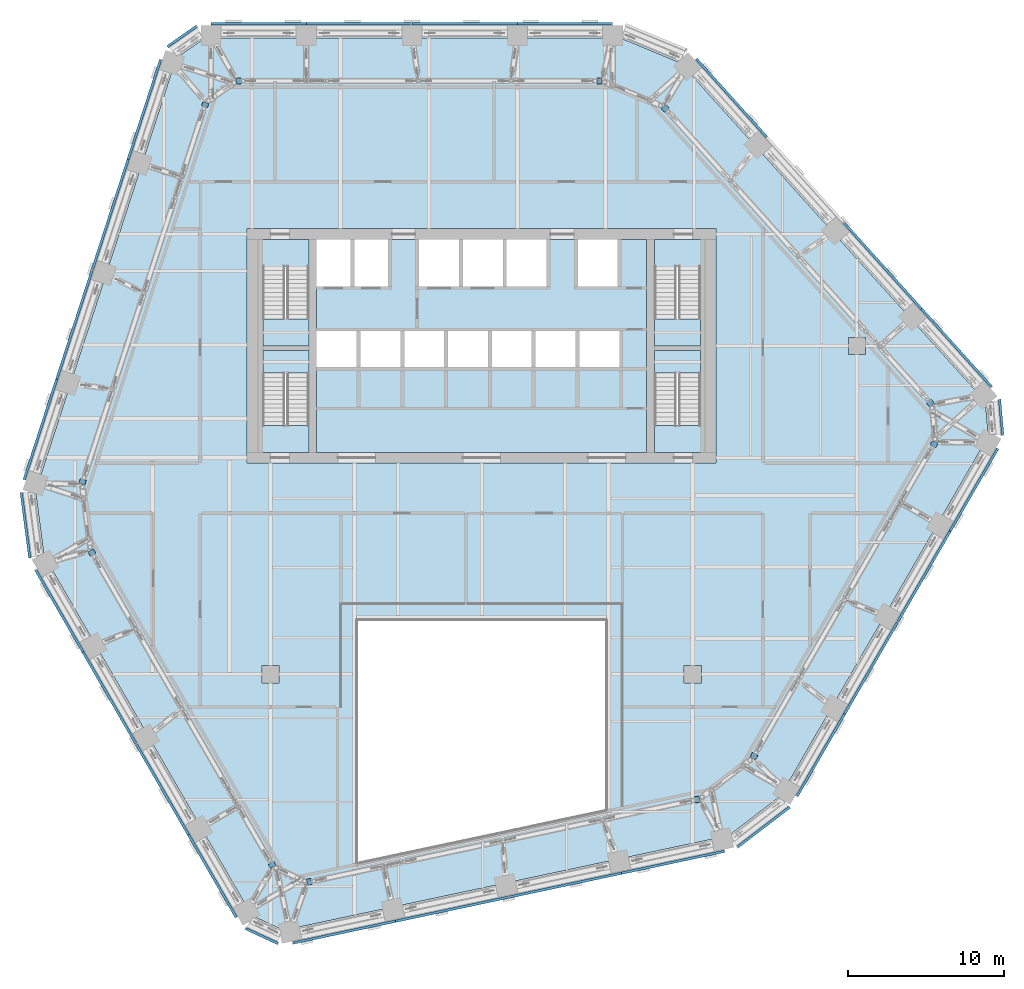
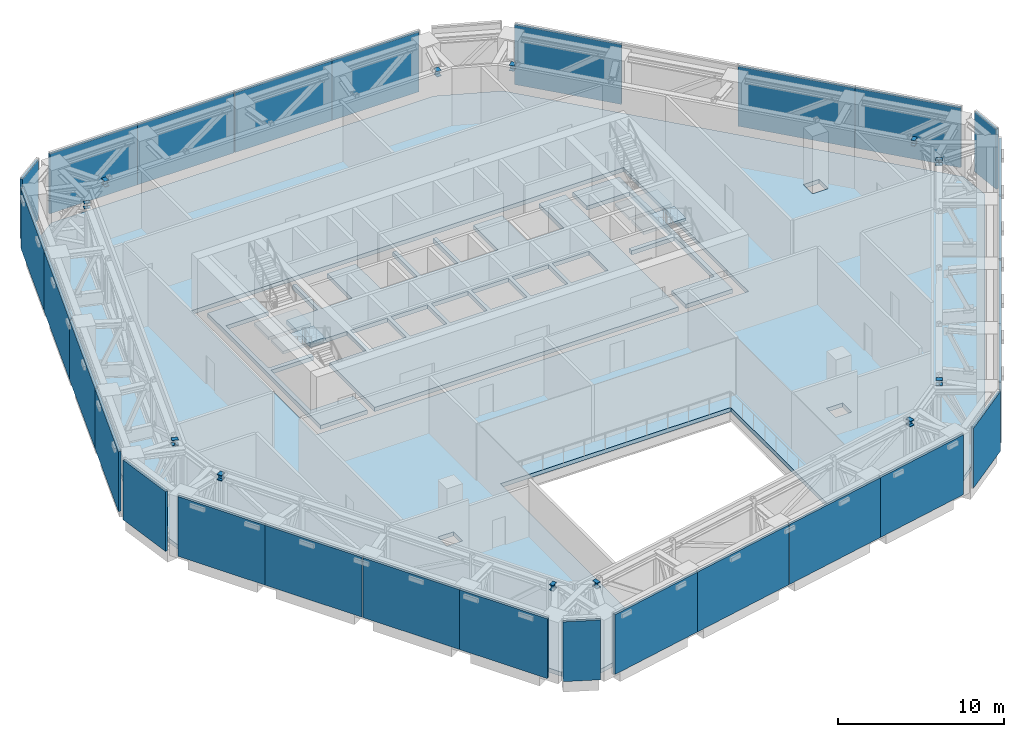
# One storey, part 15 of 26: 28 plates, 12 members, 8 slabs, 15 elements without a shape of their own.
"""IFC4 building model written with IfcOpenShell, lengths in metres."""

from ifc_helpers import new_model, si_unit, direction, frame, origin, origin_2d, place, context, subcontext, project, spatial, polyline, rectangle, i_section, outline, extrude, material, layer, layer_set, material_profile, profile_set, type_object, element, aggregate, save


model = new_model("IFC4")

# Units and contexts
model_context = context("Model", 3, precision=1e-05, world=origin(), true_north=direction((0.0, 1.0)))
body_context = subcontext(model_context, "Body", "Model", "MODEL_VIEW")
ifc_project = project(units=[si_unit("LENGTHUNIT", "METRE"), si_unit("AREAUNIT", "SQUARE_METRE"), si_unit("VOLUMEUNIT", "CUBIC_METRE"), si_unit("PLANEANGLEUNIT", "RADIAN"), si_unit("MASSUNIT", "GRAM", prefix="KILO")], contexts=[model_context])

# Site, building, storey
site_placement = place(None, origin())
site = spatial("IfcSite", under=ifc_project, at=site_placement, CompositionType="ELEMENT")
building_placement = place(site_placement, origin())
building = spatial("IfcBuilding", under=site, at=building_placement, Name="Isthmus Gate Tower", CompositionType="ELEMENT")
storey_placement = place(building_placement, frame((0.0, 0.0, 207.300048828125)))
storey = spatial("IfcBuildingStorey", under=building, at=storey_placement, Name="L52", CompositionType="ELEMENT", Elevation=207.300048828125)

# Members
ifc_material_1 = material(Name="Structural steel ASTM A913 Gr 65", Category="steel")
ifc_material_profile = material_profile(ifc_material_1, i_section(OverallWidth=0.406494140625, OverallDepth=0.416015625, WebThickness=0.0302734375, FlangeThickness=0.047607421875, at=origin_2d()), Name="W14X257")
ifc_profile_set = profile_set([ifc_material_profile], Name="Structural steel ASTM A913 Gr 65")
member_type = type_object("IfcMemberType", Name="TRANSFER TRUSS CHORD W14X257", PredefinedType="CHORD", material=ifc_profile_set)
member_1_placement = place(storey_placement, frame((11.628662109375, 22.80859375, 3.89208984375), z_axis=(0.668964731622, -0.743294146247, 0.0), x_axis=(0.743294146247, 0.668964731622, 0.0)))
element("IfcMember", 1, at=member_1_placement, inside=storey, type_object=member_type, Name="str-ring01-L52-13", PredefinedType="CHORD", context=body_context, shape_type="SweptSolid", body=[
    extrude(i_section(OverallWidth=0.406494140625, OverallDepth=0.416015625, WebThickness=0.0302734375, FlangeThickness=0.047607421875, at=origin_2d()), origin(), (0.0, 0.0, 1.0), 0.298828125),
])
member_2_placement = place(storey_placement, frame((28.61572265625, 3.9423828125, 3.89208984375), z_axis=(0.669507788191, -0.74280503603, 0.0), x_axis=(0.74280503603, 0.669507788191, 0.0)))
element("IfcMember", 2, at=member_2_placement, inside=storey, type_object=member_type, Name="str-ring01-L52-18", PredefinedType="CHORD", context=body_context, shape_type="SweptSolid", body=[
    extrude(i_section(OverallWidth=0.406494140625, OverallDepth=0.416015625, WebThickness=0.0302734375, FlangeThickness=0.047607421875, at=origin_2d()), origin(), (0.0, 0.0, 1.0), 0.273193359375),
])
member_3_placement = place(storey_placement, frame((29.012939453125, 1.351806640625, 3.89208984375), z_axis=(-0.500083826171, -0.865977001312, 0.0), x_axis=(0.865977001312, -0.500083826171, 0.0)))
element("IfcMember", 3, at=member_3_placement, inside=storey, type_object=member_type, Name="str-ring03-L52-13", PredefinedType="CHORD", context=body_context, shape_type="SweptSolid", body=[
    extrude(i_section(OverallWidth=0.406494140625, OverallDepth=0.416015625, WebThickness=0.0302734375, FlangeThickness=0.047607421875, at=origin_2d()), origin(), (0.0, 0.0, 1.0), 0.27294921875),
])
member_4_placement = place(storey_placement, frame((17.490478515625, -18.605712890625, 3.89208984375), z_axis=(-0.499992114976, -0.866029956157, 0.0), x_axis=(0.866029956157, -0.499992114976, 0.0)))
element("IfcMember", 4, at=member_4_placement, inside=storey, type_object=member_type, Name="str-ring03-L52-18", PredefinedType="CHORD", context=body_context, shape_type="SweptSolid", body=[
    extrude(i_section(OverallWidth=0.406494140625, OverallDepth=0.416015625, WebThickness=0.0302734375, FlangeThickness=0.047607421875, at=origin_2d()), origin(), (0.0, 0.0, 1.0), 0.3134765625),
])
member_5_placement = place(storey_placement, frame((13.9384765625, -21.47509765625, 3.89208984375), z_axis=(-0.978254211939, -0.207409490678, 0.0), x_axis=(0.207409490678, -0.978254211939, 0.0)))
element("IfcMember", 5, at=member_5_placement, inside=storey, type_object=member_type, Name="str-ring05-L52-13", PredefinedType="CHORD", context=body_context, shape_type="SweptSolid", body=[
    extrude(i_section(OverallWidth=0.406494140625, OverallDepth=0.416015625, WebThickness=0.0302734375, FlangeThickness=0.047607421875, at=origin_2d()), origin(), (0.0, 0.0, 1.0), 0.299072265625),
])
member_6_placement = place(storey_placement, frame((-10.893798828125, -26.753173828125, 3.89208984375), z_axis=(-0.978063317445, -0.208307818067, 0.0), x_axis=(0.208307818067, -0.978063317445, 0.0)))
element("IfcMember", 6, at=member_6_placement, inside=storey, type_object=member_type, Name="str-ring05-L52-18", PredefinedType="CHORD", context=body_context, shape_type="SweptSolid", body=[
    extrude(i_section(OverallWidth=0.406494140625, OverallDepth=0.416015625, WebThickness=0.0302734375, FlangeThickness=0.047607421875, at=origin_2d()), origin(), (0.0, 0.0, 1.0), 0.273193359375),
])
member_7_placement = place(storey_placement, frame((-13.335693359375, -25.8017578125, 3.89208984375), z_axis=(-0.500083826171, 0.865977001312, 0.0), x_axis=(-0.865977001312, -0.500083826171, 0.0)))
element("IfcMember", 7, at=member_7_placement, inside=storey, type_object=member_type, Name="str-ring07-L52-13", PredefinedType="CHORD", context=body_context, shape_type="SweptSolid", body=[
    extrude(i_section(OverallWidth=0.406494140625, OverallDepth=0.416015625, WebThickness=0.0302734375, FlangeThickness=0.047607421875, at=origin_2d()), origin(), (0.0, 0.0, 1.0), 0.27294921875),
])
member_8_placement = place(storey_placement, frame((-24.858154296875, -5.84423828125, 3.89208984375), z_axis=(-0.499992114976, 0.866029956157, 0.0), x_axis=(-0.866029956157, -0.499992114976, 0.0)))
element("IfcMember", 8, at=member_8_placement, inside=storey, type_object=member_type, Name="str-ring07-L52-18", PredefinedType="CHORD", context=body_context, shape_type="SweptSolid", body=[
    extrude(i_section(OverallWidth=0.406494140625, OverallDepth=0.416015625, WebThickness=0.0302734375, FlangeThickness=0.047607421875, at=origin_2d()), origin(), (0.0, 0.0, 1.0), 0.3134765625),
])
member_9_placement = place(storey_placement, frame((-25.567138671875, -1.333740234375, 3.89208984375), z_axis=(0.308624494438, 0.951183957725, 0.0), x_axis=(-0.951183957725, 0.308624494438, 0.0)))
element("IfcMember", 9, at=member_9_placement, inside=storey, type_object=member_type, Name="str-ring09-L52-13", PredefinedType="CHORD", context=body_context, shape_type="SweptSolid", body=[
    extrude(i_section(OverallWidth=0.406494140625, OverallDepth=0.416015625, WebThickness=0.0302734375, FlangeThickness=0.047607421875, at=origin_2d()), origin(), (0.0, 0.0, 1.0), 0.299072265625),
])
member_10_placement = place(storey_placement, frame((-17.72216796875, 22.810791015625, 3.89208984375), z_axis=(0.30924774649, 0.950981509437, 0.0), x_axis=(-0.950981509437, 0.30924774649, 0.0)))
element("IfcMember", 10, at=member_10_placement, inside=storey, type_object=member_type, Name="str-ring09-L52-18", PredefinedType="CHORD", context=body_context, shape_type="SweptSolid", body=[
    extrude(i_section(OverallWidth=0.406494140625, OverallDepth=0.416015625, WebThickness=0.0302734375, FlangeThickness=0.047607421875, at=origin_2d()), origin(), (0.0, 0.0, 1.0), 0.273193359375),
])
member_11_placement = place(storey_placement, frame((-15.67724609375, 24.449951171875, 3.89208984375), z_axis=(1.0, 0.0, 0.0), x_axis=(0.0, 1.0, 0.0)))
element("IfcMember", 11, at=member_11_placement, inside=storey, type_object=member_type, Name="str-ring11-L52-13", PredefinedType="CHORD", context=body_context, shape_type="SweptSolid", body=[
    extrude(i_section(OverallWidth=0.406494140625, OverallDepth=0.416015625, WebThickness=0.0302734375, FlangeThickness=0.047607421875, at=origin_2d()), origin(), (0.0, 0.0, 1.0), 0.27294921875),
])
member_12_placement = place(storey_placement, frame((7.367919921875, 24.449951171875, 3.89208984375), z_axis=(1.0, 0.0, 0.0), x_axis=(0.0, 1.0, 0.0)))
element("IfcMember", 12, at=member_12_placement, inside=storey, type_object=member_type, Name="str-ring11-L52-18", PredefinedType="CHORD", context=body_context, shape_type="SweptSolid", body=[
    extrude(i_section(OverallWidth=0.406494140625, OverallDepth=0.416015625, WebThickness=0.0302734375, FlangeThickness=0.047607421875, at=origin_2d()), origin(), (0.0, 0.0, 1.0), 0.3134765625),
])

# Slabs
ifc_material_2 = material(Name="Concrete f'c 40 MPa", Category="concrete")
ifc_layer_1 = layer(ifc_material_2, 0.300048828125)
ifc_layer_set_1 = layer_set([ifc_layer_1], Name="CORE FLOOR SLAB 300")
slab_type_1 = type_object("IfcSlabType", Name="CORE FLOOR SLAB 300", PredefinedType="FLOOR", material=ifc_layer_set_1)
slab_1_placement = place(storey_placement, frame((0.0, 0.0, -0.300048828125)))
element("IfcSlab", 13, at=slab_1_placement, inside=storey, type_object=slab_type_1, Name="L52 core floor", PredefinedType="FLOOR", context=body_context, shape_type="SweptSolid", body=[
    extrude(outline(polyline([(-11.050048828125, 0.699951171875), (-11.050048828125, 2.402099609375), (-14.0, 2.402099609375), (-14.0, 7.199951171875), (-11.050048828125, 7.199951171875), (-11.050048828125, 7.5), (-14.0, 7.5), (-14.0, 12.597900390625), (-11.050048828125, 12.597900390625), (-11.050048828125, 14.300048828125), (-14.300048828125, 14.300048828125), (-14.300048828125, 0.699951171875), (-11.050048828125, 0.699951171875)])), origin(), (0.0, 0.0, 1.0), 0.300048828125),
])
slab_2_placement = place(storey_placement, frame((0.0, 0.0, -0.300048828125)))
element("IfcSlab", 14, at=slab_2_placement, inside=storey, type_object=slab_type_1, Name="L52 core floor", PredefinedType="FLOOR", context=body_context, shape_type="SweptSolid", body=[
    extrude(outline(polyline([(10.550048828125, 14.300048828125), (8.699951171875, 14.300048828125), (8.699951171875, 11.300048828125), (6.14990234375, 11.300048828125), (6.14990234375, 14.300048828125), (4.14990234375, 14.300048828125), (4.14990234375, 11.300048828125), (1.60009765625, 11.300048828125), (1.60009765625, 14.300048828125), (1.35009765625, 14.300048828125), (1.35009765625, 11.300048828125), (-1.199951171875, 11.300048828125), (-1.199951171875, 14.300048828125), (-1.449951171875, 14.300048828125), (-1.449951171875, 11.300048828125), (-4.0, 11.300048828125), (-4.0, 14.300048828125), (-6.0, 14.300048828125), (-6.0, 11.300048828125), (-8.14990234375, 11.300048828125), (-8.14990234375, 14.300048828125), (-8.39990234375, 14.300048828125), (-8.39990234375, 11.300048828125), (-10.550048828125, 11.300048828125), (-10.550048828125, 8.449951171875), (-8.0, 8.449951171875), (-8.0, 6.14990234375), (-10.550048828125, 6.14990234375), (-10.550048828125, 0.699951171875), (10.550048828125, 0.699951171875), (10.550048828125, 14.300048828125)]), holes=[polyline([(-5.199951171875, 8.449951171875), (-5.199951171875, 6.14990234375), (-7.75, 6.14990234375), (-7.75, 8.449951171875), (-5.199951171875, 8.449951171875)]), polyline([(-2.39990234375, 8.449951171875), (-2.39990234375, 6.14990234375), (-4.949951171875, 6.14990234375), (-4.949951171875, 8.449951171875), (-2.39990234375, 8.449951171875)]), polyline([(0.39990234375, 8.449951171875), (0.39990234375, 6.14990234375), (-2.14990234375, 6.14990234375), (-2.14990234375, 8.449951171875), (0.39990234375, 8.449951171875)]), polyline([(3.199951171875, 8.449951171875), (3.199951171875, 6.14990234375), (0.64990234375, 6.14990234375), (0.64990234375, 8.449951171875), (3.199951171875, 8.449951171875)]), polyline([(6.0, 8.449951171875), (6.0, 6.14990234375), (3.449951171875, 6.14990234375), (3.449951171875, 8.449951171875), (6.0, 8.449951171875)]), polyline([(8.800048828125, 8.449951171875), (8.800048828125, 6.14990234375), (6.25, 6.14990234375), (6.25, 8.449951171875), (8.800048828125, 8.449951171875)])]), origin(), (0.0, 0.0, 1.0), 0.300048828125),
])
slab_3_placement = place(storey_placement, frame((0.0, 0.0, -0.300048828125)))
element("IfcSlab", 15, at=slab_3_placement, inside=storey, type_object=slab_type_1, Name="L52 core floor", PredefinedType="FLOOR", context=body_context, shape_type="SweptSolid", body=[
    extrude(outline(polyline([(11.050048828125, 14.300048828125), (11.050048828125, 12.597900390625), (14.0, 12.597900390625), (14.0, 7.5), (11.050048828125, 7.5), (11.050048828125, 7.199951171875), (14.0, 7.199951171875), (14.0, 2.402099609375), (11.050048828125, 2.402099609375), (11.050048828125, 0.699951171875), (14.300048828125, 0.699951171875), (14.300048828125, 14.300048828125), (11.050048828125, 14.300048828125)])), origin(), (0.0, 0.0, 1.0), 0.300048828125),
])

# Curtain wall, plates
ifc_material_3 = material(Name="Aluminium, pale champagne anodised", Category="aluminium")
ifc_layer_2 = layer(ifc_material_3, 0.199951171875)
ifc_layer_set_2 = layer_set([ifc_layer_2], Name="CW-2 LOUVRE CURTAIN WALL 200 DEEP")
curtain_wall_type = type_object("IfcCurtainWallType", Name="CW-2 LOUVRE CURTAIN WALL 200 DEEP", PredefinedType="NOTDEFINED", material=ifc_layer_set_2)
curtain_wall_1_placement = place(storey_placement, origin())
curtain_wall_1 = element("IfcCurtainWall", 16, at=curtain_wall_1_placement, inside=storey, type_object=curtain_wall_type, Name="CW-2 N L52", PredefinedType="NOTDEFINED")
ifc_material_4 = material(Name="Aluminium louvre blades, pale champagne anodised", Category="aluminium")
ifc_layer_3 = layer(ifc_material_4, 0.159912109375)
ifc_layer_set_3 = layer_set([ifc_layer_3], Name="CW-2 LOUVRE PANEL 160")
plate_type = type_object("IfcPlateType", Name="CW-2 LOUVRE PANEL 160", PredefinedType="CURTAIN_PANEL", material=ifc_layer_set_3)
plate_1_placement = place(storey_placement, frame((5.30859375, 28.1201171875, 0.0), z_axis=(0.0, 0.0, 1.0), x_axis=(-1.0, 0.0, 0.0)))
plate_1 = element("IfcPlate", 17, at=plate_1_placement, type_object=plate_type, Name="CW-2 louvre panel", PredefinedType="CURTAIN_PANEL", context=body_context, shape_type="SweptSolid", body=[
    extrude(rectangle(XDim=6.0400390625, YDim=0.159912109375, at=origin_2d()), origin(), (0.0, 0.0, 1.0), 4.389892578125),
])
plate_2_placement = place(storey_placement, frame((-1.086669921875, 28.1201171875, 0.0), z_axis=(0.0, 0.0, 1.0), x_axis=(-1.0, 0.0, 0.0)))
plate_2 = element("IfcPlate", 18, at=plate_2_placement, type_object=plate_type, Name="CW-2 louvre panel", PredefinedType="CURTAIN_PANEL", context=body_context, shape_type="SweptSolid", body=[
    extrude(rectangle(XDim=6.750244140625, YDim=0.159912109375, at=origin_2d()), origin(), (0.0, 0.0, 1.0), 4.389892578125),
])
plate_3_placement = place(storey_placement, frame((-7.86669921875, 28.1201171875, 0.0), z_axis=(0.0, 0.0, 1.0), x_axis=(-1.0, 0.0, 0.0)))
plate_3 = element("IfcPlate", 19, at=plate_3_placement, type_object=plate_type, Name="CW-2 louvre panel", PredefinedType="CURTAIN_PANEL", context=body_context, shape_type="SweptSolid", body=[
    extrude(rectangle(XDim=6.690185546875, YDim=0.159912109375, at=origin_2d()), origin(), (0.0, 0.0, 1.0), 4.389892578125),
])
plate_4_placement = place(storey_placement, frame((-14.261962890625, 28.1201171875, 0.0), z_axis=(0.0, 0.0, 1.0), x_axis=(-1.0, 0.0, 0.0)))
plate_4 = element("IfcPlate", 20, at=plate_4_placement, type_object=plate_type, Name="CW-2 louvre panel", PredefinedType="CURTAIN_PANEL", context=body_context, shape_type="SweptSolid", body=[
    extrude(rectangle(XDim=6.10009765625, YDim=0.159912109375, at=origin_2d()), origin(), (0.0, 0.0, 1.0), 4.389892578125),
])
aggregate(curtain_wall_1, [plate_1, plate_2, plate_3, plate_4])

# Curtain wall, plate
curtain_wall_2_placement = place(storey_placement, origin())
curtain_wall_2 = element("IfcCurtainWall", 21, at=curtain_wall_2_placement, inside=storey, type_object=curtain_wall_type, Name="CW-2 N-NW L52", PredefinedType="NOTDEFINED")
plate_5_placement = place(storey_placement, frame((-19.17626953125, 27.29248046875, 0.0), z_axis=(0.0, 0.0, 1.0), x_axis=(-0.81785959165, -0.57541783805, 0.0)))
plate_5 = element("IfcPlate", 22, at=plate_5_placement, type_object=plate_type, Name="CW-2 louvre panel", PredefinedType="CURTAIN_PANEL", context=body_context, shape_type="SweptSolid", body=[
    extrude(rectangle(XDim=2.258544921875, YDim=0.159912109375, at=origin_2d()), origin(), (0.0, 0.0, 1.0), 4.389892578125),
])
aggregate(curtain_wall_2, [plate_5])

# Curtain wall, plates
curtain_wall_3_placement = place(storey_placement, origin())
curtain_wall_3 = element("IfcCurtainWall", 23, at=curtain_wall_3_placement, inside=storey, type_object=curtain_wall_type, Name="CW-2 NW L52", PredefinedType="NOTDEFINED")
plate_6_placement = place(storey_placement, frame((-21.58056640625, 22.599853515625, 0.0), z_axis=(0.0, 0.0, 1.0), x_axis=(-0.309016994375, -0.951056516295, 0.0)))
plate_6 = element("IfcPlate", 24, at=plate_6_placement, type_object=plate_type, Name="CW-2 louvre panel", PredefinedType="CURTAIN_PANEL", context=body_context, shape_type="SweptSolid", body=[
    extrude(rectangle(XDim=6.680908203125, YDim=0.159912109375, at=origin_2d()), origin(), (0.0, 0.0, 1.0), 4.389892578125),
])
plate_7_placement = place(storey_placement, frame((-23.7548828125, 15.908447265625, 0.0), z_axis=(0.0, 0.0, 1.0), x_axis=(-0.309016994375, -0.951056516295, 0.0)))
plate_7 = element("IfcPlate", 25, at=plate_7_placement, type_object=plate_type, Name="CW-2 louvre panel", PredefinedType="CURTAIN_PANEL", context=body_context, shape_type="SweptSolid", body=[
    extrude(rectangle(XDim=7.390869140625, YDim=0.159912109375, at=origin_2d()), origin(), (0.0, 0.0, 1.0), 4.389892578125),
])
plate_8_placement = place(storey_placement, frame((-26.0478515625, 8.850830078125, 0.0), z_axis=(0.0, 0.0, 1.0), x_axis=(-0.309016994375, -0.951056516295, 0.0)))
plate_8 = element("IfcPlate", 26, at=plate_8_placement, type_object=plate_type, Name="CW-2 louvre panel", PredefinedType="CURTAIN_PANEL", context=body_context, shape_type="SweptSolid", body=[
    extrude(rectangle(XDim=7.330810546875, YDim=0.159912109375, at=origin_2d()), origin(), (0.0, 0.0, 1.0), 4.389892578125),
])
plate_9_placement = place(storey_placement, frame((-28.22216796875, 2.159423828125, 0.0), z_axis=(0.0, 0.0, 1.0), x_axis=(-0.309016994375, -0.951056516295, 0.0)))
plate_9 = element("IfcPlate", 27, at=plate_9_placement, type_object=plate_type, Name="CW-2 louvre panel", PredefinedType="CURTAIN_PANEL", context=body_context, shape_type="SweptSolid", body=[
    extrude(rectangle(XDim=6.74072265625, YDim=0.159912109375, at=origin_2d()), origin(), (0.0, 0.0, 1.0), 4.389892578125),
])
aggregate(curtain_wall_3, [plate_6, plate_7, plate_8, plate_9])

# Curtain wall, plate
curtain_wall_4_placement = place(storey_placement, origin())
curtain_wall_4 = element("IfcCurtainWall", 28, at=curtain_wall_4_placement, inside=storey, type_object=curtain_wall_type, Name="CW-2 NW-SW L52", PredefinedType="NOTDEFINED")
plate_10_placement = place(storey_placement, frame((-29.173095703125, -3.990966796875, 0.0), z_axis=(0.0, 0.0, 1.0), x_axis=(0.129164534, -0.991623175988, 0.0)))
plate_10 = element("IfcPlate", 29, at=plate_10_placement, type_object=plate_type, Name="CW-2 louvre panel", PredefinedType="CURTAIN_PANEL", context=body_context, shape_type="SweptSolid", body=[
    extrude(rectangle(XDim=4.181396484375, YDim=0.159912109375, at=origin_2d()), origin(), (0.0, 0.0, 1.0), 4.389892578125),
])
aggregate(curtain_wall_4, [plate_10])

# Curtain wall, plates
curtain_wall_5_placement = place(storey_placement, origin())
curtain_wall_5 = element("IfcCurtainWall", 30, at=curtain_wall_5_placement, inside=storey, type_object=curtain_wall_type, Name="CW-2 SW L52", PredefinedType="NOTDEFINED")
plate_11_placement = place(storey_placement, frame((-27.0068359375, -9.462646484375, 0.0), z_axis=(0.0, 0.0, 1.0), x_axis=(0.5, -0.866025403784, 0.0)))
plate_11 = element("IfcPlate", 31, at=plate_11_placement, type_object=plate_type, Name="CW-2 louvre panel", PredefinedType="CURTAIN_PANEL", context=body_context, shape_type="SweptSolid", body=[
    extrude(rectangle(XDim=6.0400390625, YDim=0.159912109375, at=origin_2d()), origin(), (0.0, 0.0, 1.0), 4.389892578125),
])
plate_12_placement = place(storey_placement, frame((-23.809326171875, -15.0009765625, 0.0), z_axis=(0.0, 0.0, 1.0), x_axis=(0.5, -0.866025403784, 0.0)))
plate_12 = element("IfcPlate", 32, at=plate_12_placement, type_object=plate_type, Name="CW-2 louvre panel", PredefinedType="CURTAIN_PANEL", context=body_context, shape_type="SweptSolid", body=[
    extrude(rectangle(XDim=6.750244140625, YDim=0.159912109375, at=origin_2d()), origin(), (0.0, 0.0, 1.0), 4.389892578125),
])
plate_13_placement = place(storey_placement, frame((-20.419189453125, -20.872802734375, 0.0), z_axis=(0.0, 0.0, 1.0), x_axis=(0.5, -0.866025403784, 0.0)))
plate_13 = element("IfcPlate", 33, at=plate_13_placement, type_object=plate_type, Name="CW-2 louvre panel", PredefinedType="CURTAIN_PANEL", context=body_context, shape_type="SweptSolid", body=[
    extrude(rectangle(XDim=6.690185546875, YDim=0.159912109375, at=origin_2d()), origin(), (0.0, 0.0, 1.0), 4.389892578125),
])
plate_14_placement = place(storey_placement, frame((-17.2216796875, -26.4111328125, 0.0), z_axis=(0.0, 0.0, 1.0), x_axis=(0.5, -0.866025403784, 0.0)))
plate_14 = element("IfcPlate", 34, at=plate_14_placement, type_object=plate_type, Name="CW-2 louvre panel", PredefinedType="CURTAIN_PANEL", context=body_context, shape_type="SweptSolid", body=[
    extrude(rectangle(XDim=6.10009765625, YDim=0.159912109375, at=origin_2d()), origin(), (0.0, 0.0, 1.0), 4.389892578125),
])
aggregate(curtain_wall_5, [plate_11, plate_12, plate_13, plate_14])

# Curtain wall, plate
curtain_wall_6_placement = place(storey_placement, origin())
curtain_wall_6 = element("IfcCurtainWall", 35, at=curtain_wall_6_placement, inside=storey, type_object=curtain_wall_type, Name="CW-2 SW-S L52", PredefinedType="NOTDEFINED")
plate_15_placement = place(storey_placement, frame((-14.0478515625, -30.25341796875, 0.0), z_axis=(0.0, 0.0, 1.0), x_axis=(0.907256261367, -0.420578264073, 0.0)))
plate_15 = element("IfcPlate", 36, at=plate_15_placement, type_object=plate_type, Name="CW-2 louvre panel", PredefinedType="CURTAIN_PANEL", context=body_context, shape_type="SweptSolid", body=[
    extrude(rectangle(XDim=2.258544921875, YDim=0.159912109375, at=origin_2d()), origin(), (0.0, 0.0, 1.0), 4.389892578125),
])
aggregate(curtain_wall_6, [plate_15])

# Curtain wall, plates
curtain_wall_7_placement = place(storey_placement, origin())
curtain_wall_7 = element("IfcCurtainWall", 37, at=curtain_wall_7_placement, inside=storey, type_object=curtain_wall_type, Name="CW-2 S L52", PredefinedType="NOTDEFINED")
plate_16_placement = place(storey_placement, frame((-8.78173828125, -29.9892578125, 0.0), z_axis=(0.0, 0.0, 1.0), x_axis=(0.978147600734, 0.207911690818, 0.0)))
plate_16 = element("IfcPlate", 38, at=plate_16_placement, type_object=plate_type, Name="CW-2 louvre panel", PredefinedType="CURTAIN_PANEL", context=body_context, shape_type="SweptSolid", body=[
    extrude(rectangle(XDim=6.680908203125, YDim=0.159912109375, at=origin_2d()), origin(), (0.0, 0.0, 1.0), 4.389892578125),
])
plate_17_placement = place(storey_placement, frame((-1.899658203125, -28.5263671875, 0.0), z_axis=(0.0, 0.0, 1.0), x_axis=(0.978147600734, 0.207911690818, 0.0)))
plate_17 = element("IfcPlate", 39, at=plate_17_placement, type_object=plate_type, Name="CW-2 louvre panel", PredefinedType="CURTAIN_PANEL", context=body_context, shape_type="SweptSolid", body=[
    extrude(rectangle(XDim=7.390869140625, YDim=0.159912109375, at=origin_2d()), origin(), (0.0, 0.0, 1.0), 4.389892578125),
])
plate_18_placement = place(storey_placement, frame((5.35888671875, -26.983642578125, 0.0), z_axis=(0.0, 0.0, 1.0), x_axis=(0.978147600734, 0.207911690818, 0.0)))
plate_18 = element("IfcPlate", 40, at=plate_18_placement, type_object=plate_type, Name="CW-2 louvre panel", PredefinedType="CURTAIN_PANEL", context=body_context, shape_type="SweptSolid", body=[
    extrude(rectangle(XDim=7.330810546875, YDim=0.159912109375, at=origin_2d()), origin(), (0.0, 0.0, 1.0), 4.389892578125),
])
plate_19_placement = place(storey_placement, frame((12.240966796875, -25.520751953125, 0.0), z_axis=(0.0, 0.0, 1.0), x_axis=(0.978147600734, 0.207911690818, 0.0)))
plate_19 = element("IfcPlate", 41, at=plate_19_placement, type_object=plate_type, Name="CW-2 louvre panel", PredefinedType="CURTAIN_PANEL", context=body_context, shape_type="SweptSolid", body=[
    extrude(rectangle(XDim=6.74072265625, YDim=0.159912109375, at=origin_2d()), origin(), (0.0, 0.0, 1.0), 4.389892578125),
])
aggregate(curtain_wall_7, [plate_16, plate_17, plate_18, plate_19])

# Curtain wall, plate
curtain_wall_8_placement = place(storey_placement, origin())
curtain_wall_8 = element("IfcCurtainWall", 42, at=curtain_wall_8_placement, inside=storey, type_object=curtain_wall_type, Name="CW-2 S-SE L52", PredefinedType="NOTDEFINED")
plate_20_placement = place(storey_placement, frame((18.042724609375, -23.269287109375, 0.0), z_axis=(0.0, 0.0, 1.0), x_axis=(0.794188594387, 0.607671355706, 0.0)))
plate_20 = element("IfcPlate", 43, at=plate_20_placement, type_object=plate_type, Name="CW-2 louvre panel", PredefinedType="CURTAIN_PANEL", context=body_context, shape_type="SweptSolid", body=[
    extrude(rectangle(XDim=4.181396484375, YDim=0.159912109375, at=origin_2d()), origin(), (0.0, 0.0, 1.0), 4.389892578125),
])
aggregate(curtain_wall_8, [plate_20])

# Curtain wall, plates
curtain_wall_9_placement = place(storey_placement, origin())
curtain_wall_9 = element("IfcCurtainWall", 44, at=curtain_wall_9_placement, inside=storey, type_object=curtain_wall_type, Name="CW-2 SE L52", PredefinedType="NOTDEFINED")
plate_21_placement = place(storey_placement, frame((21.698486328125, -18.6572265625, 0.0), z_axis=(0.0, 0.0, 1.0), x_axis=(0.5, 0.866025403784, 0.0)))
plate_21 = element("IfcPlate", 45, at=plate_21_placement, type_object=plate_type, Name="CW-2 louvre panel", PredefinedType="CURTAIN_PANEL", context=body_context, shape_type="SweptSolid", body=[
    extrude(rectangle(XDim=6.0400390625, YDim=0.159912109375, at=origin_2d()), origin(), (0.0, 0.0, 1.0), 4.389892578125),
])
plate_22_placement = place(storey_placement, frame((24.89599609375, -13.118896484375, 0.0), z_axis=(0.0, 0.0, 1.0), x_axis=(0.5, 0.866025403784, 0.0)))
plate_22 = element("IfcPlate", 46, at=plate_22_placement, type_object=plate_type, Name="CW-2 louvre panel", PredefinedType="CURTAIN_PANEL", context=body_context, shape_type="SweptSolid", body=[
    extrude(rectangle(XDim=6.750244140625, YDim=0.159912109375, at=origin_2d()), origin(), (0.0, 0.0, 1.0), 4.389892578125),
])
plate_23_placement = place(storey_placement, frame((28.2861328125, -7.2470703125, 0.0), z_axis=(0.0, 0.0, 1.0), x_axis=(0.5, 0.866025403784, 0.0)))
plate_23 = element("IfcPlate", 47, at=plate_23_placement, type_object=plate_type, Name="CW-2 louvre panel", PredefinedType="CURTAIN_PANEL", context=body_context, shape_type="SweptSolid", body=[
    extrude(rectangle(XDim=6.690185546875, YDim=0.159912109375, at=origin_2d()), origin(), (0.0, 0.0, 1.0), 4.389892578125),
])
plate_24_placement = place(storey_placement, frame((31.483642578125, -1.708740234375, 0.0), z_axis=(0.0, 0.0, 1.0), x_axis=(0.5, 0.866025403784, 0.0)))
plate_24 = element("IfcPlate", 48, at=plate_24_placement, type_object=plate_type, Name="CW-2 louvre panel", PredefinedType="CURTAIN_PANEL", context=body_context, shape_type="SweptSolid", body=[
    extrude(rectangle(XDim=6.10009765625, YDim=0.159912109375, at=origin_2d()), origin(), (0.0, 0.0, 1.0), 4.389892578125),
])
aggregate(curtain_wall_9, [plate_21, plate_22, plate_23, plate_24])

# Curtain wall, plate
curtain_wall_10_placement = place(storey_placement, origin())
curtain_wall_10 = element("IfcCurtainWall", 49, at=curtain_wall_10_placement, inside=storey, type_object=curtain_wall_type, Name="CW-2 SE-NE L52", PredefinedType="NOTDEFINED")
plate_25_placement = place(storey_placement, frame((33.22412109375, 2.9609375, 0.0), z_axis=(0.0, 0.0, 1.0), x_axis=(-0.089396669717, 0.995996102123, 0.0)))
plate_25 = element("IfcPlate", 50, at=plate_25_placement, type_object=plate_type, Name="CW-2 louvre panel", PredefinedType="CURTAIN_PANEL", context=body_context, shape_type="SweptSolid", body=[
    extrude(rectangle(XDim=2.258544921875, YDim=0.159912109375, at=origin_2d()), origin(), (0.0, 0.0, 1.0), 4.389892578125),
])
aggregate(curtain_wall_10, [plate_25])

# Curtain wall, plates
curtain_wall_11_placement = place(storey_placement, origin())
curtain_wall_11 = element("IfcCurtainWall", 51, at=curtain_wall_11_placement, inside=storey, type_object=curtain_wall_type, Name="CW-2 NE L52", PredefinedType="NOTDEFINED")
plate_26_placement = place(storey_placement, frame((30.3623046875, 7.389404296875, 0.0), z_axis=(0.0, 0.0, 1.0), x_axis=(-0.669130606359, 0.743144825477, 0.0)))
plate_26 = element("IfcPlate", 52, at=plate_26_placement, type_object=plate_type, Name="CW-2 louvre panel", PredefinedType="CURTAIN_PANEL", context=body_context, shape_type="SweptSolid", body=[
    extrude(rectangle(XDim=6.680908203125, YDim=0.159912109375, at=origin_2d()), origin(), (0.0, 0.0, 1.0), 4.389892578125),
])
plate_27_placement = place(storey_placement, frame((25.654541015625, 12.617919921875, 0.0), z_axis=(0.0, 0.0, 1.0), x_axis=(-0.669130606359, 0.743144825477, 0.0)))
plate_27 = element("IfcPlate", 53, at=plate_27_placement, type_object=plate_type, Name="CW-2 louvre panel", PredefinedType="CURTAIN_PANEL", context=body_context, shape_type="SweptSolid", body=[
    extrude(rectangle(XDim=7.390869140625, YDim=0.159912109375, at=origin_2d()), origin(), (0.0, 0.0, 1.0), 4.389892578125),
])
plate_28_placement = place(storey_placement, frame((15.981201171875, 23.361328125, 0.0), z_axis=(0.0, 0.0, 1.0), x_axis=(-0.669130606359, 0.743144825477, 0.0)))
plate_28 = element("IfcPlate", 54, at=plate_28_placement, type_object=plate_type, Name="CW-2 louvre panel", PredefinedType="CURTAIN_PANEL", context=body_context, shape_type="SweptSolid", body=[
    extrude(rectangle(XDim=6.74072265625, YDim=0.159912109375, at=origin_2d()), origin(), (0.0, 0.0, 1.0), 4.389892578125),
])
aggregate(curtain_wall_11, [plate_26, plate_27, plate_28])

# Slab
ifc_material_5 = material(Name="Concrete f'c 40 MPa", Category="concrete")
ifc_layer_4 = layer(ifc_material_5, 0.300048828125)
ifc_layer_set_4 = layer_set([ifc_layer_4], Name="PLANT FLOOR SLAB 300")
slab_type_2 = type_object("IfcSlabType", Name="PLANT FLOOR SLAB 300", PredefinedType="FLOOR", material=ifc_layer_set_4)
slab_4_placement = place(storey_placement, frame((0.0, 0.0, -0.300048828125)))
element("IfcSlab", 55, at=slab_4_placement, inside=storey, type_object=slab_type_2, Name="str-slab-L52-1", PredefinedType="FLOOR", context=body_context, shape_type="SweptSolid", body=[
    extrude(outline(polyline([(12.72802734375, 25.599365234375), (32.21044921875, 3.9619140625), (32.410400390625, 1.736083984375), (19.116455078125, -21.289306640625), (15.8056640625, -23.822509765625), (-12.674072265625, -29.876220703125), (-14.701416015625, -28.936279296875), (-27.995361328125, -5.91064453125), (-28.53369140625, -1.77685546875), (-19.536376953125, 25.9140625), (-17.708740234375, 27.199951171875), (8.87890625, 27.199951171875), (12.72802734375, 25.599365234375)]), holes=[polyline([(-8.0, -10.0), (-8.0, -25.611083984375), (8.0, -22.210205078125), (8.0, -10.0), (-8.0, -10.0)]), polyline([(-14.050048828125, -12.949951171875), (-14.050048828125, -14.050048828125), (-12.949951171875, -14.050048828125), (-12.949951171875, -12.949951171875), (-14.050048828125, -12.949951171875)]), polyline([(14.050048828125, -12.949951171875), (12.949951171875, -12.949951171875), (12.949951171875, -14.050048828125), (14.050048828125, -14.050048828125), (14.050048828125, -12.949951171875)]), polyline([(-15.0, 15.0), (-15.0, 0.0), (15.0, 0.0), (15.0, 15.0), (-15.0, 15.0)]), polyline([(24.550048828125, 6.949951171875), (24.550048828125, 8.050048828125), (23.449951171875, 8.050048828125), (23.449951171875, 6.949951171875), (24.550048828125, 6.949951171875)])]), origin(), (0.0, 0.0, 1.0), 0.300048828125),
])

# Stair, slab
ifc_material_6 = material(Name="Concrete f'c 40 MPa", Category="concrete")
stair_type = type_object("IfcStairType", Name="CORE STAIR 26 RISERS", PredefinedType="HALF_TURN_STAIR", material=ifc_material_6)
stair_1_placement = place(storey_placement, origin())
stair_1 = element("IfcStair", 56, at=stair_1_placement, inside=storey, type_object=stair_type, Name="L52 Exit Stair 1", PredefinedType="HALF_TURN_STAIR")
ifc_material_7 = material(Name="Concrete f'c 40 MPa", Category="concrete")
ifc_layer_5 = layer(ifc_material_7, 0.199951171875)
ifc_layer_set_5 = layer_set([ifc_layer_5])
slab_type_3 = type_object("IfcSlabType", Name="STAIR LANDING RC 200", PredefinedType="LANDING", material=ifc_layer_set_5)
slab_5_placement = place(storey_placement, frame((0.0, 0.0, 2.050048828125)))
slab_5 = element("IfcSlab", 57, at=slab_5_placement, type_object=slab_type_3, Name="ST1 landing 1", PredefinedType="LANDING", context=body_context, shape_type="SweptSolid", body=[
    extrude(outline(polyline([(-14.0, 9.239990234375), (-14.0, 7.5), (-11.050048828125, 7.5), (-11.050048828125, 9.239990234375), (-14.0, 9.239990234375)])), origin(), (0.0, 0.0, 1.0), 0.199951171875),
])
aggregate(stair_1, [slab_5])

stair_2_placement = place(storey_placement, origin())
stair_2 = element("IfcStair", 58, at=stair_2_placement, inside=storey, type_object=stair_type, Name="L52 Exit Stair 2", PredefinedType="HALF_TURN_STAIR")
slab_6_placement = place(storey_placement, frame((0.0, 0.0, 2.050048828125)))
slab_6 = element("IfcSlab", 59, at=slab_6_placement, type_object=slab_type_3, Name="ST2 landing 1", PredefinedType="LANDING", context=body_context, shape_type="SweptSolid", body=[
    extrude(outline(polyline([(11.050048828125, 9.239990234375), (11.050048828125, 7.5), (14.0, 7.5), (14.0, 9.239990234375), (11.050048828125, 9.239990234375)])), origin(), (0.0, 0.0, 1.0), 0.199951171875),
])
aggregate(stair_2, [slab_6])

stair_3_placement = place(storey_placement, origin())
stair_3 = element("IfcStair", 60, at=stair_3_placement, inside=storey, type_object=stair_type, Name="L52 Exit Stair 7", PredefinedType="HALF_TURN_STAIR")
slab_7_placement = place(storey_placement, frame((0.0, 0.0, 2.050048828125)))
slab_7 = element("IfcSlab", 61, at=slab_7_placement, type_object=slab_type_3, Name="ST7 landing 1", PredefinedType="LANDING", context=body_context, shape_type="SweptSolid", body=[
    extrude(outline(polyline([(-11.050048828125, 5.760009765625), (-11.050048828125, 7.199951171875), (-14.0, 7.199951171875), (-14.0, 5.760009765625), (-11.050048828125, 5.760009765625)])), origin(), (0.0, 0.0, 1.0), 0.199951171875),
])
aggregate(stair_3, [slab_7])

stair_4_placement = place(storey_placement, origin())
stair_4 = element("IfcStair", 62, at=stair_4_placement, inside=storey, type_object=stair_type, Name="L52 Exit Stair 8", PredefinedType="HALF_TURN_STAIR")
slab_8_placement = place(storey_placement, frame((0.0, 0.0, 2.050048828125)))
slab_8 = element("IfcSlab", 63, at=slab_8_placement, type_object=slab_type_3, Name="ST8 landing 1", PredefinedType="LANDING", context=body_context, shape_type="SweptSolid", body=[
    extrude(outline(polyline([(14.0, 5.760009765625), (14.0, 7.199951171875), (11.050048828125, 7.199951171875), (11.050048828125, 5.760009765625), (14.0, 5.760009765625)])), origin(), (0.0, 0.0, 1.0), 0.199951171875),
])
aggregate(stair_4, [slab_8])

save(model, "model.ifc")
